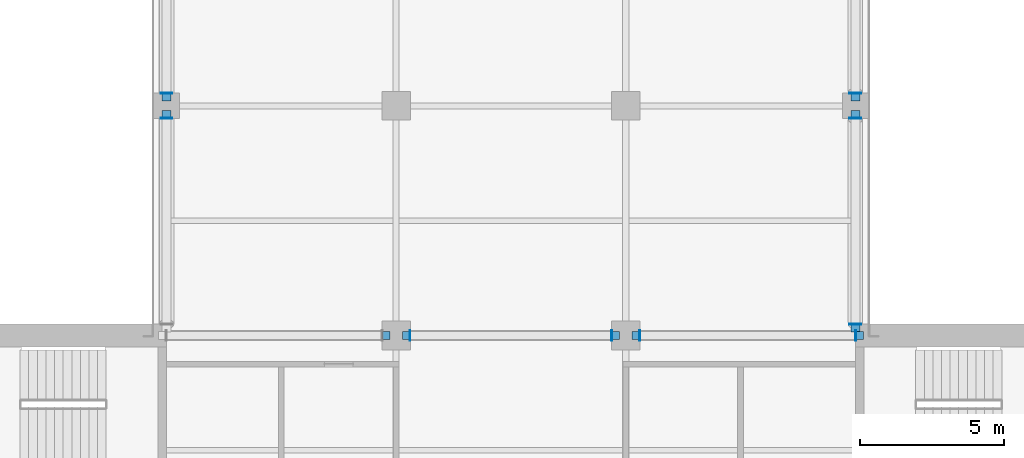
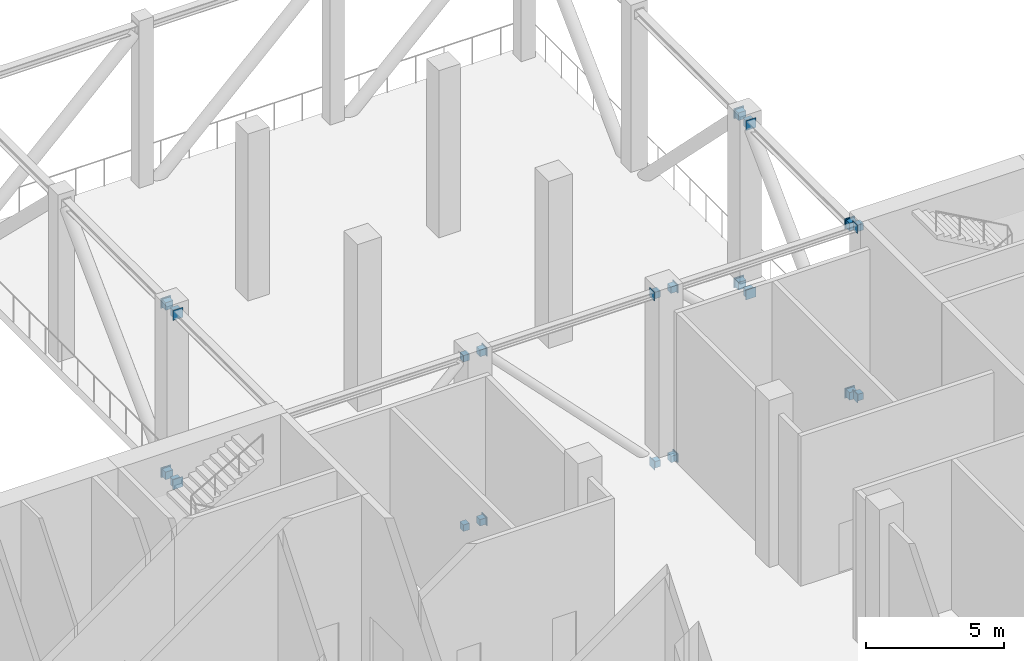
# One storey, part 11 of 18: 38 discrete accessories.
"""IFC4 building model written with IfcOpenShell, lengths in metres."""

from ifc_helpers import new_model, si_unit, direction, frame, origin, origin_2d, place, context, subcontext, project, spatial, rectangle, extrude, material, layer, layer_set, type_object, element, save


model = new_model("IFC4")

# Units and contexts
model_context = context("Model", 3, precision=1e-05, world=origin(), true_north=direction((0.0, 1.0)))
body_context = subcontext(model_context, "Body", "Model", "MODEL_VIEW")
ifc_project = project(units=[si_unit("LENGTHUNIT", "METRE"), si_unit("AREAUNIT", "SQUARE_METRE"), si_unit("VOLUMEUNIT", "CUBIC_METRE"), si_unit("PLANEANGLEUNIT", "RADIAN"), si_unit("MASSUNIT", "GRAM", prefix="KILO")], contexts=[model_context])

# Site, building, storey
site_placement = place(None, origin())
site = spatial("IfcSite", under=ifc_project, at=site_placement, CompositionType="ELEMENT")
building_placement = place(site_placement, origin())
building = spatial("IfcBuilding", under=site, at=building_placement, Name="Crosswind Convention Tower", CompositionType="ELEMENT")
storey_placement = place(building_placement, frame((0.0, 0.0, 105.300048828125)))
storey = spatial("IfcBuildingStorey", under=building, at=storey_placement, Name="L21", CompositionType="ELEMENT", Elevation=105.300048828125)

# Discrete accessories
ifc_material = material(Name="Steel S355", Category="steel")
ifc_layer_1 = layer(ifc_material, 0.030029296875)
ifc_layer_set_1 = layer_set([ifc_layer_1], Name="Steel S355")
discrete_accessory_type_1 = type_object("IfcDiscreteAccessoryType", Name="Cast-in plate 365 x 389 x 30", PredefinedType="ANCHORPLATE", material=ifc_layer_set_1)
for number, where, z_axis, x_axis, name in (
    (1, (121.485107421875, 112.0, -0.7392578125), (0.0, 0.0, 1.0), (1.0, 0.0, 0.0), "EP2 L21 cast-in plate"),
    (2, (128.514892578125, 112.0, -0.7392578125), (0.0, 0.0, 1.0), (1.0, 0.0, 0.0), "EP2 L21 cast-in plate"),
    (3, (121.485107421875, 112.0, 6.7607421875), (0.0, 0.0, 1.0), (1.0, 0.0, 0.0), "EP2 L21 cast-in plate"),
    (4, (128.514892578125, 112.0, 6.7607421875), (0.0, 0.0, 1.0), (1.0, 0.0, 0.0), "EP2 L21 cast-in plate"),
    (5, (129.485107421875, 112.0, -0.7392578125), (0.0, 0.0, 1.0), (1.0, 0.0, 0.0), "EP2 L21 cast-in plate"),
    (6, (137.014892578125, 112.0, -0.7392578125), (0.0, 0.0, 1.0), (1.0, 0.0, 0.0), "EP2 L21 cast-in plate"),
    (7, (129.485107421875, 112.0, 6.7607421875), (0.0, 0.0, 1.0), (1.0, 0.0, 0.0), "EP2 L21 cast-in plate"),
    (8, (137.014892578125, 112.0, 6.7607421875), (0.0, 0.0, 1.0), (1.0, 0.0, 0.0), "EP2 L21 cast-in plate"),
):
    element("IfcDiscreteAccessory", number, at=place(storey_placement, frame(where, z_axis=z_axis, x_axis=x_axis)), inside=storey, type_object=discrete_accessory_type_1, Name=name, PredefinedType="ANCHORPLATE", context=body_context, shape_type="SweptSolid", body=[
        extrude(rectangle(XDim=0.030029296875, YDim=0.364501953125, at=origin_2d()), origin(), (0.0, 0.0, 1.0), 0.38916015625),
    ])
ifc_layer_2 = layer(ifc_material, 0.030029296875)
ifc_layer_set_2 = layer_set([ifc_layer_2], Name="Steel S355")
discrete_accessory_type_2 = type_object("IfcDiscreteAccessoryType", Name="Cast-in plate 414 x 440 x 30", PredefinedType="ANCHORPLATE", material=ifc_layer_set_2)
for number, where, z_axis, x_axis, name in (
    (9, (113.0, 119.56494140625, -0.7900390625), (0.0, 0.0, 1.0), (1.0, 0.0, 0.0), "EP1 L21 cast-in plate"),
    (10, (113.0, 119.56494140625, 6.7099609375), (0.0, 0.0, 1.0), (1.0, 0.0, 0.0), "EP1 L21 cast-in plate"),
    (11, (113.0, 120.43505859375, -0.7900390625), (0.0, 0.0, 1.0), (1.0, 0.0, 0.0), "EP1 L21 cast-in plate"),
    (12, (113.0, 120.43505859375, 6.7099609375), (0.0, 0.0, 1.0), (1.0, 0.0, 0.0), "EP1 L21 cast-in plate"),
    (13, (137.0, 112.385009765625, -0.7900390625), (0.0, 0.0, 1.0), (1.0, 0.0, 0.0), "EP1 L21 cast-in plate"),
    (14, (137.0, 119.56494140625, -0.7900390625), (0.0, 0.0, 1.0), (1.0, 0.0, 0.0), "EP1 L21 cast-in plate"),
    (15, (137.0, 112.385009765625, 6.7099609375), (0.0, 0.0, 1.0), (1.0, 0.0, 0.0), "EP1 L21 cast-in plate"),
    (16, (137.0, 119.56494140625, 6.7099609375), (0.0, 0.0, 1.0), (1.0, 0.0, 0.0), "EP1 L21 cast-in plate"),
    (17, (137.0, 120.43505859375, -0.7900390625), (0.0, 0.0, 1.0), (1.0, 0.0, 0.0), "EP1 L21 cast-in plate"),
    (18, (137.0, 120.43505859375, 6.7099609375), (0.0, 0.0, 1.0), (1.0, 0.0, 0.0), "EP1 L21 cast-in plate"),
):
    element("IfcDiscreteAccessory", number, at=place(storey_placement, frame(where, z_axis=z_axis, x_axis=x_axis)), inside=storey, type_object=discrete_accessory_type_2, Name=name, PredefinedType="ANCHORPLATE", context=body_context, shape_type="SweptSolid", body=[
        extrude(rectangle(XDim=0.4140625, YDim=0.030029296875, at=origin_2d()), origin(), (0.0, 0.0, 1.0), 0.43994140625),
    ])
discrete_accessory_type_3 = type_object("IfcDiscreteAccessoryType", Name="Headed stud group 265 x 289 x 250", PredefinedType="USERDEFINED", material=ifc_material)
for number, where, z_axis, x_axis, name in (
    (19, (120.655029296875, 112.0, -0.689208984375), (0.0, 0.0, 1.0), (1.0, 0.0, 0.0), "AB2 L21 headed stud group"),
    (20, (120.655029296875, 112.0, 6.810791015625), (0.0, 0.0, 1.0), (1.0, 0.0, 0.0), "AB2 L21 headed stud group"),
    (21, (121.344970703125, 112.0, -0.689208984375), (0.0, 0.0, 1.0), (1.0, 0.0, 0.0), "AB2 L21 headed stud group"),
    (22, (128.655029296875, 112.0, -0.689208984375), (0.0, 0.0, 1.0), (1.0, 0.0, 0.0), "AB2 L21 headed stud group"),
    (23, (121.344970703125, 112.0, 6.810791015625), (0.0, 0.0, 1.0), (1.0, 0.0, 0.0), "AB2 L21 headed stud group"),
    (24, (128.655029296875, 112.0, 6.810791015625), (0.0, 0.0, 1.0), (1.0, 0.0, 0.0), "AB2 L21 headed stud group"),
    (25, (129.344970703125, 112.0, -0.689208984375), (0.0, 0.0, 1.0), (1.0, 0.0, 0.0), "AB2 L21 headed stud group"),
    (26, (137.155029296875, 112.0, -0.689208984375), (0.0, 0.0, 1.0), (1.0, 0.0, 0.0), "AB2 L21 headed stud group"),
    (27, (129.344970703125, 112.0, 6.810791015625), (0.0, 0.0, 1.0), (1.0, 0.0, 0.0), "AB2 L21 headed stud group"),
    (28, (137.155029296875, 112.0, 6.810791015625), (0.0, 0.0, 1.0), (1.0, 0.0, 0.0), "AB2 L21 headed stud group"),
):
    element("IfcDiscreteAccessory", number, at=place(storey_placement, frame(where, z_axis=z_axis, x_axis=x_axis)), inside=storey, type_object=discrete_accessory_type_3, Name=name, ObjectType="HEADED STUD GROUP", PredefinedType="USERDEFINED", context=body_context, shape_type="SweptSolid", body=[
        extrude(rectangle(XDim=0.25, YDim=0.264404296875, at=origin_2d()), origin(), (0.0, 0.0, 1.0), 0.2890625),
    ])
discrete_accessory_type_4 = type_object("IfcDiscreteAccessoryType", Name="Headed stud group 314 x 340 x 250", PredefinedType="USERDEFINED", material=ifc_material)
for number, where, z_axis, x_axis, name in (
    (29, (113.0, 119.705078125, -0.739990234375), (0.0, 0.0, 1.0), (1.0, 0.0, 0.0), "AB1 L21 headed stud group"),
    (30, (113.0, 119.705078125, 6.760009765625), (0.0, 0.0, 1.0), (1.0, 0.0, 0.0), "AB1 L21 headed stud group"),
    (31, (113.0, 120.294921875, -0.739990234375), (0.0, 0.0, 1.0), (1.0, 0.0, 0.0), "AB1 L21 headed stud group"),
    (32, (113.0, 120.294921875, 6.760009765625), (0.0, 0.0, 1.0), (1.0, 0.0, 0.0), "AB1 L21 headed stud group"),
    (33, (137.0, 112.2451171875, -0.739990234375), (0.0, 0.0, 1.0), (1.0, 0.0, 0.0), "AB1 L21 headed stud group"),
    (34, (137.0, 119.705078125, -0.739990234375), (0.0, 0.0, 1.0), (1.0, 0.0, 0.0), "AB1 L21 headed stud group"),
    (35, (137.0, 112.2451171875, 6.760009765625), (0.0, 0.0, 1.0), (1.0, 0.0, 0.0), "AB1 L21 headed stud group"),
    (36, (137.0, 119.705078125, 6.760009765625), (0.0, 0.0, 1.0), (1.0, 0.0, 0.0), "AB1 L21 headed stud group"),
    (37, (137.0, 120.294921875, -0.739990234375), (0.0, 0.0, 1.0), (1.0, 0.0, 0.0), "AB1 L21 headed stud group"),
    (38, (137.0, 120.294921875, 6.760009765625), (0.0, 0.0, 1.0), (1.0, 0.0, 0.0), "AB1 L21 headed stud group"),
):
    element("IfcDiscreteAccessory", number, at=place(storey_placement, frame(where, z_axis=z_axis, x_axis=x_axis)), inside=storey, type_object=discrete_accessory_type_4, Name=name, ObjectType="HEADED STUD GROUP", PredefinedType="USERDEFINED", context=body_context, shape_type="SweptSolid", body=[
        extrude(rectangle(XDim=0.314208984375, YDim=0.25, at=origin_2d()), origin(), (0.0, 0.0, 1.0), 0.33984375),
    ])

save(model, "model.ifc")
